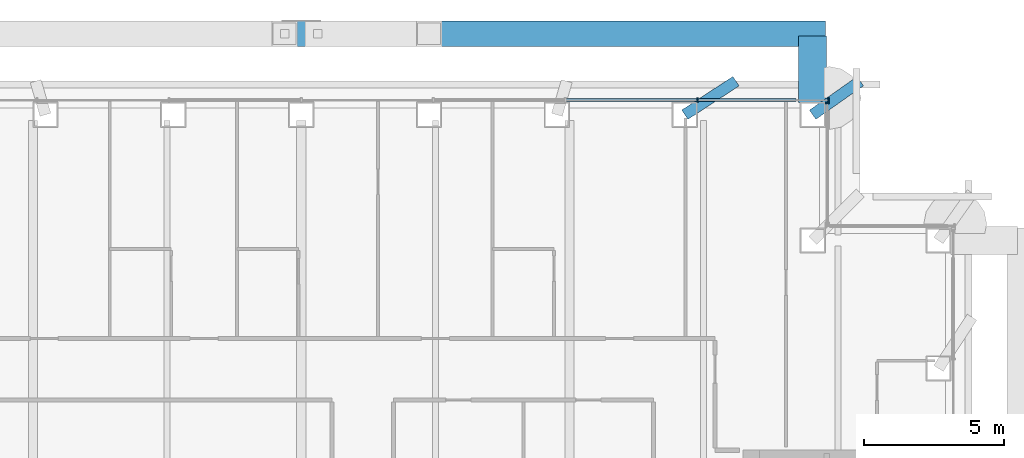
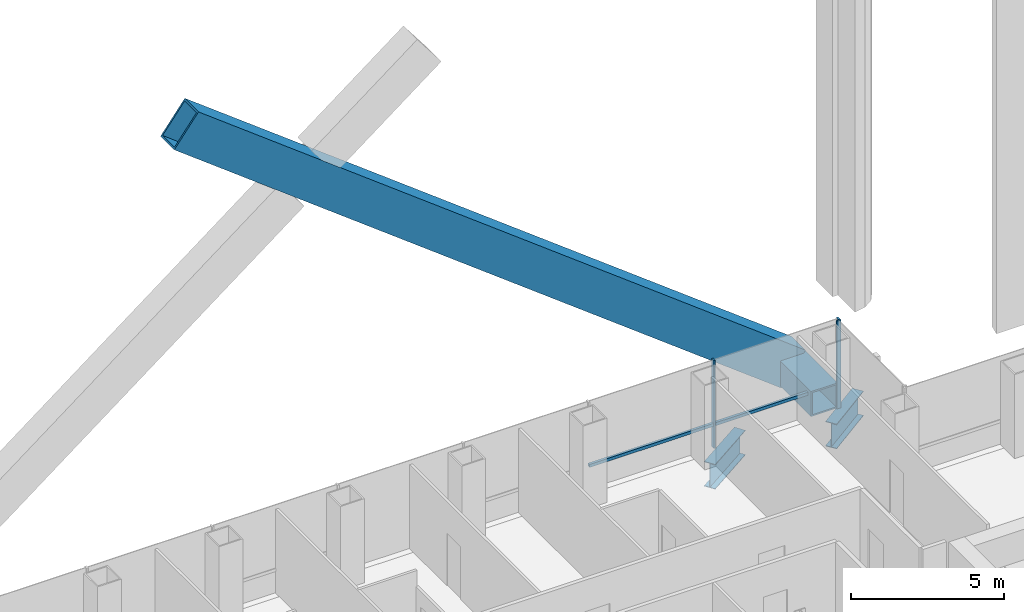
# One storey, part 10 of 22: 6 members, 3 beams, 2 elements without a shape of their own.
"""IFC4 building model written with IfcOpenShell, lengths in metres."""

from ifc_helpers import new_model, si_unit, direction, frame, origin, origin_2d, place, context, subcontext, project, spatial, rectangle, hollow_rectangle, i_section, extrude, material, material_profile, profile_set, type_object, element, aggregate, save


model = new_model("IFC4")

# Units and contexts
model_context = context("Model", 3, precision=1e-05, world=origin(), true_north=direction((0.0, 1.0)))
body_context = subcontext(model_context, "Body", "Model", "MODEL_VIEW")
ifc_project = project(units=[si_unit("LENGTHUNIT", "METRE"), si_unit("AREAUNIT", "SQUARE_METRE"), si_unit("VOLUMEUNIT", "CUBIC_METRE"), si_unit("PLANEANGLEUNIT", "RADIAN"), si_unit("MASSUNIT", "GRAM", prefix="KILO")], contexts=[model_context])

# Site, building, storey
site_placement = place(None, origin())
site = spatial("IfcSite", under=ifc_project, at=site_placement, CompositionType="ELEMENT")
building_placement = place(site_placement, origin())
building = spatial("IfcBuilding", under=site, at=building_placement, Name="Cobrizo Arcos Hotel Tower", CompositionType="ELEMENT")
storey_placement = place(building_placement, frame((0.0, 0.0, 89.0)))
storey = spatial("IfcBuildingStorey", under=building, at=storey_placement, Name="L21", CompositionType="ELEMENT", Elevation=89.0)

# Beam
ifc_material_1 = material(Name="Steel ASTM A572 Grade 50", Category="steel")
ifc_material_profile_1 = material_profile(ifc_material_1, hollow_rectangle(XDim=1.0, YDim=1.0, WallThickness=0.06005859375, at=origin_2d()), Name="BOX 1000X1000X60")
ifc_profile_set_1 = profile_set([ifc_material_profile_1], Name="Steel ASTM A572 Grade 50")
beam_type_1 = type_object("IfcBeamType", Name="BOX 1000X1000X60 brace connector strut", PredefinedType="BEAM", material=ifc_profile_set_1)
beam_1_placement = place(storey_placement, frame((18.300048828125, 23.239990234375, 0.5), z_axis=(0.0, 1.0, 0.0), x_axis=(-1.0, 0.0, 0.0)))
element("IfcBeam", 1, at=beam_1_placement, inside=storey, type_object=beam_type_1, Name="Perimeter brace stub BS1, zone Z2, north face, offset +18.30 m, L21", PredefinedType="BEAM", context=body_context, shape_type="SweptSolid", body=[
    extrude(hollow_rectangle(XDim=1.0, YDim=1.0, WallThickness=0.06005859375, at=origin_2d()), origin(), (0.0, 0.0, 1.0), 2.380126953125),
])

# Member
ifc_material_profile_2 = material_profile(ifc_material_1, hollow_rectangle(XDim=0.89990234375, YDim=1.5, WallThickness=0.06494140625, at=origin_2d()), Name="BOX 900X1500X65")
ifc_profile_set_2 = profile_set([ifc_material_profile_2], Name="Steel ASTM A572 Grade 50")
member_type_1 = type_object("IfcMemberType", Name="BOX 900X1500X65 perimeter brace", PredefinedType="BRACE", material=ifc_profile_set_2)
member_1_placement = place(storey_placement, frame((18.300048828125, 25.699951171875, 0.5), z_axis=(-0.794234626601, 0.0, 0.607611189749), x_axis=(0.0, -1.0, 0.0)))
element("IfcMember", 2, at=member_1_placement, inside=storey, type_object=member_type_1, Name="Perimeter brace PBR2, zone Z2, north face, no. 00", PredefinedType="BRACE", context=body_context, shape_type="SweptSolid", body=[
    extrude(hollow_rectangle(XDim=0.89990234375, YDim=1.5, WallThickness=0.06494140625, at=origin_2d()), origin(), (0.0, 0.0, 1.0), 28.80126953125),
])

# Curtain wall, member
ifc_material_2 = material(Name="Aluminium 6063-T6 anodised bronze", Category="aluminium")
curtain_wall_type = type_object("IfcCurtainWallType", Name="CW-A guest facade", PredefinedType="NOTDEFINED", material=ifc_material_2)
curtain_wall_1_placement = place(storey_placement, origin())
curtain_wall_1 = element("IfcCurtainWall", 3, at=curtain_wall_1_placement, inside=storey, type_object=curtain_wall_type, Name="CW-A L21 E face", PredefinedType="NOTDEFINED")
ifc_material_profile_3 = material_profile(ifc_material_2, rectangle(XDim=0.14990234375, YDim=0.06005859375, at=origin_2d()), Name="CW-A mullion 150x60")
ifc_profile_set_3 = profile_set([ifc_material_profile_3], Name="Aluminium 6063-T6 anodised bronze")
member_type_2 = type_object("IfcMemberType", Name="CW-A mullion 150x60", PredefinedType="MULLION", material=ifc_profile_set_3)
member_2_placement = place(storey_placement, frame((18.824951171875, 23.219970703125, 0.0), z_axis=(0.0, 0.0, 1.0), x_axis=(1.0, 0.0, 0.0)))
member_2 = element("IfcMember", 4, at=member_2_placement, type_object=member_type_2, Name="CW-A mullion 2", PredefinedType="MULLION", context=body_context, shape_type="SweptSolid", body=[
    extrude(rectangle(XDim=0.14990234375, YDim=0.06005859375, at=origin_2d()), origin(), (0.0, 0.0, 1.0), 3.5),
])
aggregate(curtain_wall_1, [member_2])

# Curtain wall, members
curtain_wall_2_placement = place(storey_placement, origin())
curtain_wall_2 = element("IfcCurtainWall", 5, at=curtain_wall_2_placement, inside=storey, type_object=curtain_wall_type, Name="CW-A L21 N face", PredefinedType="NOTDEFINED")
member_3_placement = place(storey_placement, frame((18.8701171875, 23.324951171875, 0.0), z_axis=(0.0, 0.0, 1.0), x_axis=(0.0, 1.0, 0.0)))
member_3 = element("IfcMember", 6, at=member_3_placement, type_object=member_type_2, Name="CW-A mullion 1", PredefinedType="MULLION", context=body_context, shape_type="SweptSolid", body=[
    extrude(rectangle(XDim=0.14990234375, YDim=0.06005859375, at=origin_2d()), origin(), (0.0, 0.0, 1.0), 3.5),
])
member_4_placement = place(storey_placement, frame((14.175048828125, 23.324951171875, 0.0), z_axis=(0.0, 0.0, 1.0), x_axis=(0.0, 1.0, 0.0)))
member_4 = element("IfcMember", 7, at=member_4_placement, type_object=member_type_2, Name="CW-A mullion 2", PredefinedType="MULLION", context=body_context, shape_type="SweptSolid", body=[
    extrude(rectangle(XDim=0.14990234375, YDim=0.06005859375, at=origin_2d()), origin(), (0.0, 0.0, 1.0), 3.5),
])
ifc_material_profile_4 = material_profile(ifc_material_2, rectangle(XDim=0.10009765625, YDim=0.1201171875, at=origin_2d()), Name="CW-A transom 120x100")
ifc_profile_set_4 = profile_set([ifc_material_profile_4], Name="Aluminium 6063-T6 anodised bronze")
member_type_3 = type_object("IfcMemberType", Name="CW-A transom 120x100", PredefinedType="USERDEFINED", material=ifc_profile_set_4)
member_5_placement = place(storey_placement, frame((17.699951171875, 23.324951171875, 0.929931640625), z_axis=(-1.0, 0.0, 0.0), x_axis=(0.0, -1.0, 0.0)))
member_5 = element("IfcMember", 8, at=member_5_placement, type_object=member_type_3, Name="CW-A transom 867", ObjectType="TRANSOM", PredefinedType="USERDEFINED", context=body_context, shape_type="SweptSolid", body=[
    extrude(rectangle(XDim=0.10009765625, YDim=0.1201171875, at=origin_2d()), origin(), (0.0, 0.0, 1.0), 3.494873046875),
])
member_6_placement = place(storey_placement, frame((14.14501953125, 23.324951171875, 0.929931640625), z_axis=(-1.0, 0.0, 0.0), x_axis=(0.0, -1.0, 0.0)))
member_6 = element("IfcMember", 9, at=member_6_placement, type_object=member_type_3, Name="CW-A transom 868", ObjectType="TRANSOM", PredefinedType="USERDEFINED", context=body_context, shape_type="SweptSolid", body=[
    extrude(rectangle(XDim=0.10009765625, YDim=0.1201171875, at=origin_2d()), origin(), (0.0, 0.0, 1.0), 4.6650390625),
])
aggregate(curtain_wall_2, [member_3, member_4, member_5, member_6])

# Beams
ifc_material_3 = material(Name="Steel ASTM A992 Grade 50", Category="steel")
ifc_material_profile_5 = material_profile(ifc_material_3, i_section(OverallWidth=0.4013671875, OverallDepth=0.990478515625, WebThickness=0.0166015625, FlangeThickness=0.025390625, at=origin_2d()), Name="W40X215")
ifc_profile_set_5 = profile_set([ifc_material_profile_5], Name="Steel ASTM A992 Grade 50")
beam_type_2 = type_object("IfcBeamType", Name="W40X215 transfer girder", PredefinedType="BEAM", material=ifc_profile_set_5)
beam_2_placement = place(storey_placement, frame((15.555908203125, 24.0, -0.645263671875), z_axis=(-0.836365917196, -0.548171553943, 0.0), x_axis=(0.548171553943, -0.836365917196, 0.0)))
element("IfcBeam", 10, at=beam_2_placement, inside=storey, type_object=beam_type_2, Name="Setback transfer girder TG1, L21, no. 009", PredefinedType="BEAM", context=body_context, shape_type="SweptSolid", body=[
    extrude(i_section(OverallWidth=0.4013671875, OverallDepth=0.990478515625, WebThickness=0.0166015625, FlangeThickness=0.025390625, at=origin_2d()), origin(), (0.0, 0.0, 1.0), 2.18896484375),
])
beam_3_placement = place(storey_placement, frame((20.0, 24.0, -0.645263671875), z_axis=(-0.816971114901, -0.576678591087, 0.0), x_axis=(0.576678591087, -0.816971114901, 0.0)))
element("IfcBeam", 11, at=beam_3_placement, inside=storey, type_object=beam_type_2, Name="Setback transfer girder TG1, L21, no. 011", PredefinedType="BEAM", context=body_context, shape_type="SweptSolid", body=[
    extrude(i_section(OverallWidth=0.4013671875, OverallDepth=0.990478515625, WebThickness=0.0166015625, FlangeThickness=0.025390625, at=origin_2d()), origin(), (0.0, 0.0, 1.0), 2.080810546875),
])

save(model, "model.ifc")
